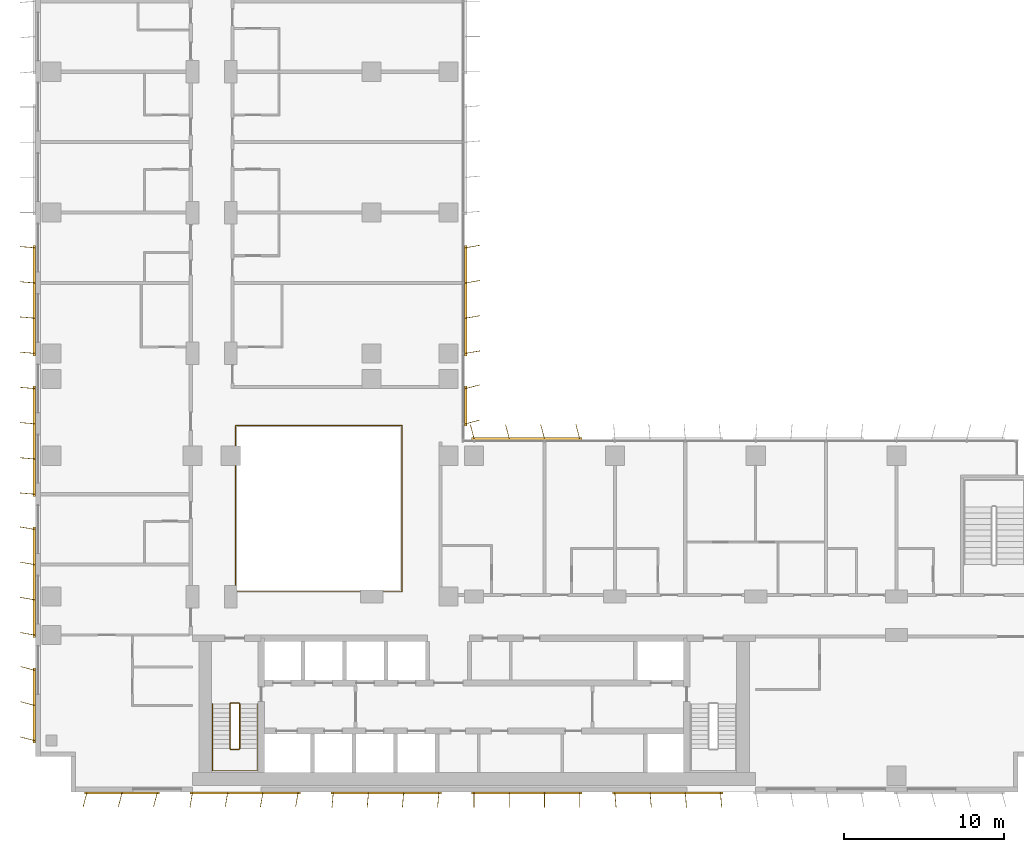
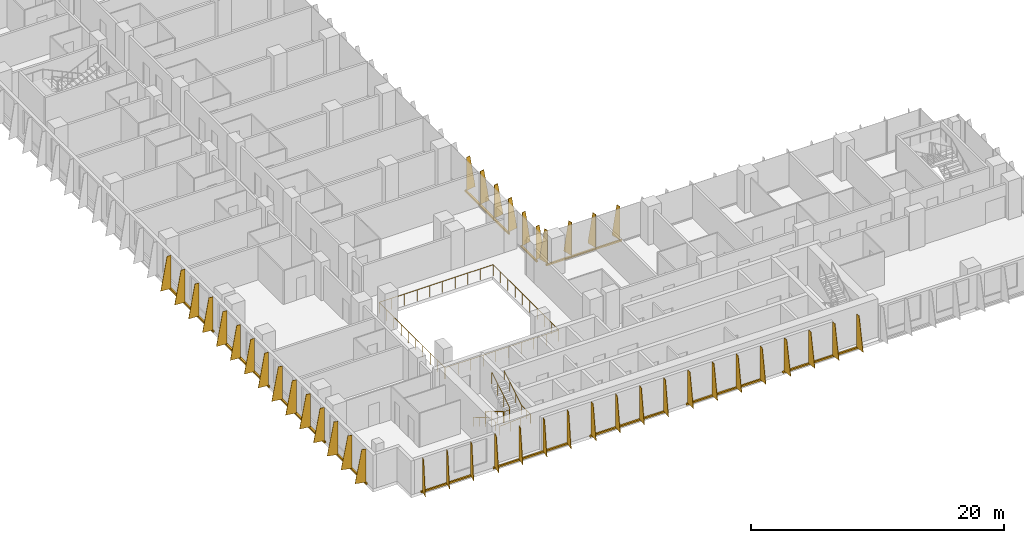
# One storey, part 19 of 22: 12 shading devices, 3 railings.
"""IFC4 building model written with IfcOpenShell, lengths in metres."""

from ifc_helpers import new_model, si_unit, direction, frame, origin, origin_2d, place, context, subcontext, project, spatial, polyline, rectangle, circle, outline, extrude, source, transform, mapped, material, layer, layer_set, type_object, element, save


model = new_model("IFC4")

# Units and contexts
model_context = context("Model", 3, precision=1e-05, world=origin(), true_north=direction((0.0, 1.0)))
body_context = subcontext(model_context, "Body", "Model", "MODEL_VIEW")
ifc_project = project(units=[si_unit("LENGTHUNIT", "METRE"), si_unit("AREAUNIT", "SQUARE_METRE"), si_unit("VOLUMEUNIT", "CUBIC_METRE"), si_unit("PLANEANGLEUNIT", "RADIAN"), si_unit("MASSUNIT", "GRAM", prefix="KILO")], contexts=[model_context])

# Site, building, storey
site_placement = place(None, origin())
site = spatial("IfcSite", under=ifc_project, at=site_placement, CompositionType="ELEMENT")
building_placement = place(site_placement, origin())
building = spatial("IfcBuilding", under=site, at=building_placement, Name="Kemantara Hotel Tower", CompositionType="ELEMENT")
storey_placement = place(building_placement, frame((0.0, 0.0, 129.60009765625)))
storey = spatial("IfcBuildingStorey", under=building, at=storey_placement, Name="L31", CompositionType="ELEMENT", Elevation=129.60009765625)

# Railings
ifc_material_1 = material(Name="Stainless steel and laminated glass balustrade", Category="steel")
railing_type_1 = type_object("IfcRailingType", Name="ATRIUM GUARD 1100", PredefinedType="GUARDRAIL", material=ifc_material_1)
railing_1_placement = place(storey_placement, frame((12.56005859375, 12.5, 0.0)))
element("IfcRailing", 1, at=railing_1_placement, inside=storey, type_object=railing_type_1, Name="ATRIUM GUARD L31", PredefinedType="GUARDRAIL", context=body_context, shape_type="SweptSolid", body=[
    extrude(circle(Radius=0.02490234375, at=origin_2d()), frame((0.0, 0.0, 1.0751953125), z_axis=(1.0, 0.0, 0.0), x_axis=(0.0, 1.0, 0.0)), (0.0, 0.0, 1.0), 10.33984375),
    extrude(circle(Radius=0.02490234375, at=origin_2d()), frame((10.33984375, 0.0, 1.0751953125), z_axis=(0.0, 1.0, 0.0), x_axis=(-1.0, 0.0, 0.0)), (0.0, 0.0, 1.0), 10.39990234375),
    extrude(circle(Radius=0.02490234375, at=origin_2d()), frame((10.33984375, 10.39990234375, 1.0751953125), z_axis=(-1.0, 0.0, 0.0), x_axis=(0.0, -1.0, 0.0)), (0.0, 0.0, 1.0), 10.39990234375),
    extrude(circle(Radius=0.02490234375, at=origin_2d()), frame((-0.06005859375, 10.39990234375, 1.0751953125), z_axis=(0.0, -1.0, 0.0), x_axis=(1.0, 0.0, 0.0)), (0.0, 0.0, 1.0), 10.39990234375),
    extrude(circle(Radius=0.02001953125, at=origin_2d()), origin(), (0.0, 0.0, 1.0), 1.050048828125),
    extrude(circle(Radius=0.02001953125, at=origin_2d()), frame((1.14892578125, 0.0, 0.0)), (0.0, 0.0, 1.0), 1.050048828125),
    extrude(circle(Radius=0.02001953125, at=origin_2d()), frame((2.2978515625, 0.0, 0.0)), (0.0, 0.0, 1.0), 1.050048828125),
    extrude(circle(Radius=0.02001953125, at=origin_2d()), frame((3.446533203125, 0.0, 0.0)), (0.0, 0.0, 1.0), 1.050048828125),
    extrude(circle(Radius=0.02001953125, at=origin_2d()), frame((4.595458984375, 0.0, 0.0)), (0.0, 0.0, 1.0), 1.050048828125),
    extrude(circle(Radius=0.02001953125, at=origin_2d()), frame((5.744384765625, 0.0, 0.0)), (0.0, 0.0, 1.0), 1.050048828125),
    extrude(circle(Radius=0.02001953125, at=origin_2d()), frame((6.893310546875, 0.0, 0.0)), (0.0, 0.0, 1.0), 1.050048828125),
    extrude(circle(Radius=0.02001953125, at=origin_2d()), frame((8.0419921875, 0.0, 0.0)), (0.0, 0.0, 1.0), 1.050048828125),
    extrude(circle(Radius=0.02001953125, at=origin_2d()), frame((9.19091796875, 0.0, 0.0)), (0.0, 0.0, 1.0), 1.050048828125),
    extrude(circle(Radius=0.02001953125, at=origin_2d()), frame((10.33984375, 0.0, 0.0)), (0.0, 0.0, 1.0), 1.050048828125),
    extrude(circle(Radius=0.02001953125, at=origin_2d()), frame((10.33984375, 1.155517578125, 0.0)), (0.0, 0.0, 1.0), 1.050048828125),
    extrude(circle(Radius=0.02001953125, at=origin_2d()), frame((10.33984375, 2.31103515625, 0.0)), (0.0, 0.0, 1.0), 1.050048828125),
    extrude(circle(Radius=0.02001953125, at=origin_2d()), frame((10.33984375, 3.466552734375, 0.0)), (0.0, 0.0, 1.0), 1.050048828125),
    extrude(circle(Radius=0.02001953125, at=origin_2d()), frame((10.33984375, 4.6220703125, 0.0)), (0.0, 0.0, 1.0), 1.050048828125),
    extrude(circle(Radius=0.02001953125, at=origin_2d()), frame((10.33984375, 5.77783203125, 0.0)), (0.0, 0.0, 1.0), 1.050048828125),
    extrude(circle(Radius=0.02001953125, at=origin_2d()), frame((10.33984375, 6.933349609375, 0.0)), (0.0, 0.0, 1.0), 1.050048828125),
    extrude(circle(Radius=0.02001953125, at=origin_2d()), frame((10.33984375, 8.0888671875, 0.0)), (0.0, 0.0, 1.0), 1.050048828125),
    extrude(circle(Radius=0.02001953125, at=origin_2d()), frame((10.33984375, 9.244384765625, 0.0)), (0.0, 0.0, 1.0), 1.050048828125),
    extrude(circle(Radius=0.02001953125, at=origin_2d()), frame((10.33984375, 10.39990234375, 0.0)), (0.0, 0.0, 1.0), 1.050048828125),
    extrude(circle(Radius=0.02001953125, at=origin_2d()), frame((9.184326171875, 10.39990234375, 0.0)), (0.0, 0.0, 1.0), 1.050048828125),
    extrude(circle(Radius=0.02001953125, at=origin_2d()), frame((8.02880859375, 10.39990234375, 0.0)), (0.0, 0.0, 1.0), 1.050048828125),
    extrude(circle(Radius=0.02001953125, at=origin_2d()), frame((6.873291015625, 10.39990234375, 0.0)), (0.0, 0.0, 1.0), 1.050048828125),
    extrude(circle(Radius=0.02001953125, at=origin_2d()), frame((5.7177734375, 10.39990234375, 0.0)), (0.0, 0.0, 1.0), 1.050048828125),
    extrude(circle(Radius=0.02001953125, at=origin_2d()), frame((4.56201171875, 10.39990234375, 0.0)), (0.0, 0.0, 1.0), 1.050048828125),
    extrude(circle(Radius=0.02001953125, at=origin_2d()), frame((3.406494140625, 10.39990234375, 0.0)), (0.0, 0.0, 1.0), 1.050048828125),
    extrude(circle(Radius=0.02001953125, at=origin_2d()), frame((2.2509765625, 10.39990234375, 0.0)), (0.0, 0.0, 1.0), 1.050048828125),
    extrude(circle(Radius=0.02001953125, at=origin_2d()), frame((1.095458984375, 10.39990234375, 0.0)), (0.0, 0.0, 1.0), 1.050048828125),
    extrude(circle(Radius=0.02001953125, at=origin_2d()), frame((-0.06005859375, 10.39990234375, 0.0)), (0.0, 0.0, 1.0), 1.050048828125),
    extrude(circle(Radius=0.02001953125, at=origin_2d()), frame((-0.06005859375, 9.244384765625, 0.0)), (0.0, 0.0, 1.0), 1.050048828125),
    extrude(circle(Radius=0.02001953125, at=origin_2d()), frame((-0.06005859375, 8.0888671875, 0.0)), (0.0, 0.0, 1.0), 1.050048828125),
    extrude(circle(Radius=0.02001953125, at=origin_2d()), frame((-0.06005859375, 6.933349609375, 0.0)), (0.0, 0.0, 1.0), 1.050048828125),
    extrude(circle(Radius=0.02001953125, at=origin_2d()), frame((-0.06005859375, 5.77783203125, 0.0)), (0.0, 0.0, 1.0), 1.050048828125),
    extrude(circle(Radius=0.02001953125, at=origin_2d()), frame((-0.06005859375, 4.6220703125, 0.0)), (0.0, 0.0, 1.0), 1.050048828125),
    extrude(circle(Radius=0.02001953125, at=origin_2d()), frame((-0.06005859375, 3.466552734375, 0.0)), (0.0, 0.0, 1.0), 1.050048828125),
    extrude(circle(Radius=0.02001953125, at=origin_2d()), frame((-0.06005859375, 2.31103515625, 0.0)), (0.0, 0.0, 1.0), 1.050048828125),
    extrude(circle(Radius=0.02001953125, at=origin_2d()), frame((-0.06005859375, 1.155517578125, 0.0)), (0.0, 0.0, 1.0), 1.050048828125),
    extrude(circle(Radius=0.02001953125, at=origin_2d()), frame((-0.06005859375, 0.0, 0.0)), (0.0, 0.0, 1.0), 1.050048828125),
])
ifc_material_2 = material(Name="Stainless steel balustrade", Category="steel")
railing_type_2 = type_object("IfcRailingType", Name="Stair guard 1100 mm", PredefinedType="GUARDRAIL", material=ifc_material_2)
railing_2_placement = place(storey_placement, frame((12.75, 5.5, 3.699951171875)))
element("IfcRailing", 2, at=railing_2_placement, inside=storey, type_object=railing_type_2, Name="L31 ST1 stair guard 1", PredefinedType="GUARDRAIL", context=body_context, shape_type="SweptSolid", body=[
    extrude(circle(Radius=0.02392578125, at=origin_2d()), frame((0.0, 0.0, 1.076171875), z_axis=(0.0, -0.857242210791, -0.514913383045), x_axis=(1.0, 0.0, 0.0)), (0.0, 0.0, 1.0), 3.266357421875),
    extrude(circle(Radius=0.02392578125, at=origin_2d()), frame((0.0, -2.800048828125, -0.60595703125), z_axis=(-0.274243871929, -0.274243871929, -0.92172696468), x_axis=(0.707106781187, -0.707106781187, 0.0)), (0.0, 0.0, 1.0), 0.1826171875),
    extrude(circle(Radius=0.02392578125, at=origin_2d()), frame((-0.050048828125, -2.85009765625, -0.77392578125), z_axis=(-1.0, 0.0, 0.0), x_axis=(0.0, -1.0, 0.0)), (0.0, 0.0, 1.0), 0.5),
    extrude(circle(Radius=0.02392578125, at=origin_2d()), frame((-0.550048828125, -2.85009765625, -0.77392578125), z_axis=(-0.707106781187, 0.707106781187, 0.0), x_axis=(-0.707106781187, -0.707106781187, 0.0)), (0.0, 0.0, 1.0), 0.07080078125),
    extrude(circle(Radius=0.02392578125, at=origin_2d()), frame((-0.60009765625, -2.800048828125, -0.77392578125), z_axis=(0.0, 0.857242210791, -0.514913383045), x_axis=(-1.0, 0.0, 0.0)), (0.0, 0.0, 1.0), 3.266357421875),
    extrude(circle(Radius=0.02392578125, at=origin_2d()), frame((-0.60009765625, 0.0, -2.4560546875), z_axis=(0.274582412415, 0.274582412415, -0.921525364591), x_axis=(-0.707106781187, 0.707106781187, 0.0)), (0.0, 0.0, 1.0), 0.182373046875),
    extrude(circle(Radius=0.02392578125, at=origin_2d()), frame((-0.550048828125, 0.050048828125, -2.6240234375), z_axis=(1.0, 0.0, 0.0), x_axis=(0.0, 1.0, 0.0)), (0.0, 0.0, 1.0), 0.5),
    extrude(circle(Radius=0.02099609375, at=origin_2d()), origin(), (0.0, 0.0, 1.0), 1.052001953125),
    extrude(circle(Radius=0.02099609375, at=origin_2d()), frame((0.0, -0.933349609375, -0.560546875)), (0.0, 0.0, 1.0), 1.052001953125),
    extrude(circle(Radius=0.02099609375, at=origin_2d()), frame((0.0, -1.86669921875, -1.121337890625)), (0.0, 0.0, 1.0), 1.052001953125),
    extrude(circle(Radius=0.02099609375, at=origin_2d()), frame((0.0, -2.800048828125, -1.681884765625)), (0.0, 0.0, 1.0), 1.052001953125),
    extrude(circle(Radius=0.02099609375, at=origin_2d()), frame((-0.050048828125, -2.85009765625, -1.85009765625)), (0.0, 0.0, 1.0), 1.052001953125),
    extrude(circle(Radius=0.02099609375, at=origin_2d()), frame((-0.550048828125, -2.85009765625, -1.85009765625)), (0.0, 0.0, 1.0), 1.052001953125),
    extrude(circle(Radius=0.02099609375, at=origin_2d()), frame((-0.60009765625, -2.800048828125, -1.85009765625)), (0.0, 0.0, 1.0), 1.052001953125),
    extrude(circle(Radius=0.02099609375, at=origin_2d()), frame((-0.60009765625, -1.86669921875, -2.41064453125)), (0.0, 0.0, 1.0), 1.052001953125),
    extrude(circle(Radius=0.02099609375, at=origin_2d()), frame((-0.60009765625, -0.933349609375, -2.971435546875)), (0.0, 0.0, 1.0), 1.052001953125),
    extrude(circle(Radius=0.02099609375, at=origin_2d()), frame((-0.60009765625, 0.0, -3.531982421875)), (0.0, 0.0, 1.0), 1.052001953125),
    extrude(circle(Radius=0.02099609375, at=origin_2d()), frame((-0.550048828125, 0.050048828125, -3.699951171875)), (0.0, 0.0, 1.0), 1.052001953125),
    extrude(circle(Radius=0.02099609375, at=origin_2d()), frame((-0.050048828125, 0.050048828125, -3.699951171875)), (0.0, 0.0, 1.0), 1.052001953125),
])
railing_type_3 = type_object("IfcRailingType", Name="Stair handrail 900 mm", PredefinedType="HANDRAIL", material=ifc_material_2)
railing_3_placement = place(storey_placement, frame((11.050048828125, 5.5, 0.16796875)))
element("IfcRailing", 3, at=railing_3_placement, inside=storey, type_object=railing_type_3, Name="L31 ST1 stair handrail 1", PredefinedType="HANDRAIL", context=body_context, shape_type="SweptSolid", body=[
    extrude(circle(Radius=0.02392578125, at=origin_2d()), frame((0.0, 0.0, 0.8759765625), z_axis=(0.0, -0.857242210791, 0.514913383045), x_axis=(1.0, 0.0, 0.0)), (0.0, 0.0, 1.0), 3.266357421875),
    extrude(circle(Radius=0.02392578125, at=origin_2d()), frame((0.0, -2.800048828125, 2.5576171875), z_axis=(0.0, -1.0, 0.0), x_axis=(1.0, 0.0, 0.0)), (0.0, 0.0, 1.0), 1.3798828125),
    extrude(circle(Radius=0.02392578125, at=origin_2d()), frame((0.0, -4.179931640625, 2.5576171875), z_axis=(0.998200367801, 0.0, 0.059966871865), x_axis=(0.0, 1.0, 0.0)), (0.0, 0.0, 1.0), 2.80517578125),
    extrude(circle(Radius=0.02392578125, at=origin_2d()), frame((2.800048828125, -4.179931640625, 2.72607421875), z_axis=(0.0, 1.0, 0.0), x_axis=(-1.0, 0.0, 0.0)), (0.0, 0.0, 1.0), 1.3798828125),
    extrude(circle(Radius=0.02392578125, at=origin_2d()), frame((2.800048828125, -2.800048828125, 2.72607421875), z_axis=(0.0, 0.857242210791, 0.514913383045), x_axis=(-1.0, 0.0, 0.0)), (0.0, 0.0, 1.0), 3.266357421875),
    extrude(circle(Radius=0.02099609375, at=origin_2d()), origin(), (0.0, 0.0, 1.0), 0.851806640625),
    extrude(circle(Radius=0.02099609375, at=origin_2d()), frame((0.0, -0.933349609375, 0.560546875)), (0.0, 0.0, 1.0), 0.851806640625),
    extrude(circle(Radius=0.02099609375, at=origin_2d()), frame((0.0, -1.86669921875, 1.121337890625)), (0.0, 0.0, 1.0), 0.851806640625),
    extrude(circle(Radius=0.02099609375, at=origin_2d()), frame((0.0, -2.800048828125, 1.681884765625)), (0.0, 0.0, 1.0), 0.851806640625),
    extrude(circle(Radius=0.02099609375, at=origin_2d()), frame((0.0, -3.489990234375, 1.681884765625)), (0.0, 0.0, 1.0), 0.851806640625),
    extrude(circle(Radius=0.02099609375, at=origin_2d()), frame((0.0, -4.179931640625, 1.681884765625)), (0.0, 0.0, 1.0), 0.851806640625),
    extrude(circle(Radius=0.02099609375, at=origin_2d()), frame((0.933349609375, -4.179931640625, 1.738037109375)), (0.0, 0.0, 1.0), 0.851806640625),
    extrude(circle(Radius=0.02099609375, at=origin_2d()), frame((1.86669921875, -4.179931640625, 1.7939453125)), (0.0, 0.0, 1.0), 0.851806640625),
    extrude(circle(Radius=0.02099609375, at=origin_2d()), frame((2.800048828125, -4.179931640625, 1.85009765625)), (0.0, 0.0, 1.0), 0.851806640625),
    extrude(circle(Radius=0.02099609375, at=origin_2d()), frame((2.800048828125, -3.489990234375, 1.85009765625)), (0.0, 0.0, 1.0), 0.851806640625),
    extrude(circle(Radius=0.02099609375, at=origin_2d()), frame((2.800048828125, -2.800048828125, 1.85009765625)), (0.0, 0.0, 1.0), 0.851806640625),
    extrude(circle(Radius=0.02099609375, at=origin_2d()), frame((2.800048828125, -1.86669921875, 2.41064453125)), (0.0, 0.0, 1.0), 0.851806640625),
    extrude(circle(Radius=0.02099609375, at=origin_2d()), frame((2.800048828125, -0.933349609375, 2.971435546875)), (0.0, 0.0, 1.0), 0.851806640625),
    extrude(circle(Radius=0.02099609375, at=origin_2d()), frame((2.800048828125, 0.0, 3.531982421875)), (0.0, 0.0, 1.0), 0.851806640625),
])

# Shading devices
ifc_material_3 = material(Name="Perforated aluminium plate 4 mm bronze anodised", Category="aluminium")
ifc_layer_1 = layer(ifc_material_3, 0.0400390625)
ifc_layer_set_1 = layer_set([ifc_layer_1], Name="Perforated aluminium plate 4 mm bronze anodised")
shading_device_type_1 = type_object("IfcShadingDeviceType", Name="SCREEN FIN CASSETTE, 3 BLADES AT -15.0 DEG, 3200 HIGH", PredefinedType="USERDEFINED", material=ifc_layer_set_1)
shared_shape_1 = source(origin(), body_context, "Body", "SweptSolid", [
    extrude(rectangle(XDim=4.699951171875, YDim=0.14990234375, at=origin_2d()), frame((2.199951171875, -0.074951171875, -0.14990234375), z_axis=(0.0, 0.0, 1.0), x_axis=(1.0, 0.0, 0.0)), (0.0, 0.0, 1.0), 0.14990234375),
    extrude(outline(polyline([(0.0, 0.0), (0.89990234375, 0.0), (0.35009765625, 3.199951171875), (0.0, 3.199951171875), (0.0, 0.0)])), frame((0.019287109375, -0.080078125, 0.0), z_axis=(-0.966437683387, 0.256901156343, 0.0), x_axis=(-0.256901156343, -0.966437683387, 0.0)), (0.0, 0.0, 1.0), 0.039794921875),
    extrude(outline(polyline([(0.0, 0.0), (0.89990234375, 0.0), (0.35009765625, 3.199951171875), (0.0, 3.199951171875), (0.0, 0.0)])), frame((2.21923828125, -0.080078125, 0.0), z_axis=(-0.966437683387, 0.256901156343, 0.0), x_axis=(-0.256901156343, -0.966437683387, 0.0)), (0.0, 0.0, 1.0), 0.039794921875),
    extrude(outline(polyline([(0.0, 0.0), (0.89990234375, 0.0), (0.35009765625, 3.199951171875), (0.0, 3.199951171875), (0.0, 0.0)])), frame((4.41943359375, -0.080078125, 0.0), z_axis=(-0.966837822169, 0.255391122837, 0.0), x_axis=(-0.255391122837, -0.966837822169, 0.0)), (0.0, 0.0, 1.0), 0.0400390625),
])
for number, where, z_axis, x_axis, name in (
    (4, (0.0, 7.60009765625, 0.099853515625), (0.0, 0.0, 1.0), (0.0, -1.0, 0.0), "SCREEN FIN CASSETTE L31 T2-R04-9"),
    (5, (3.199951171875, 0.0, 0.099853515625), (0.0, 0.0, 1.0), (1.0, 0.0, 0.0), "SCREEN FIN CASSETTE L31 T2-R07-1"),
):
    element("IfcShadingDevice", number, at=place(storey_placement, frame(where, z_axis=z_axis, x_axis=x_axis)), inside=storey, type_object=shading_device_type_1, Name=name, ObjectType="SCREEN FIN", PredefinedType="USERDEFINED", context=body_context, shape_type="MappedRepresentation", body=[
        mapped(shared_shape_1, transform((0.0, 0.0, 0.0))),
    ])
ifc_layer_2 = layer(ifc_material_3, 0.0400390625)
ifc_layer_set_2 = layer_set([ifc_layer_2], Name="Perforated aluminium plate 4 mm bronze anodised")
shading_device_type_2 = type_object("IfcShadingDeviceType", Name="SCREEN FIN CASSETTE, 4 BLADES AT -10.0 DEG, 3200 HIGH", PredefinedType="USERDEFINED", material=ifc_layer_set_2)
shared_shape_2 = source(origin(), body_context, "Body", "SweptSolid", [
    extrude(rectangle(XDim=6.89990234375, YDim=0.14990234375, at=origin_2d()), frame((3.300048828125, -0.074951171875, -0.14990234375), z_axis=(0.0, 0.0, 1.0), x_axis=(1.0, 0.0, 0.0)), (0.0, 0.0, 1.0), 0.14990234375),
    extrude(outline(polyline([(0.0, 0.0), (0.89990234375, 0.0), (0.35009765625, 3.199951171875), (0.0, 3.199951171875), (0.0, 0.0)])), frame((0.019775390625, -0.078369140625, 0.0), z_axis=(-0.985389793052, 0.170314285219, 0.0), x_axis=(-0.170314285219, -0.985389793052, 0.0)), (0.0, 0.0, 1.0), 0.0400390625),
    extrude(outline(polyline([(0.0, 0.0), (0.89990234375, 0.0), (0.35009765625, 3.199951171875), (0.0, 3.199951171875), (0.0, 0.0)])), frame((2.2197265625, -0.078369140625, 0.0), z_axis=(-0.98521175482, 0.171341174751, 0.0), x_axis=(-0.171341174751, -0.98521175482, 0.0)), (0.0, 0.0, 1.0), 0.039794921875),
    extrude(outline(polyline([(0.0, 0.0), (0.89990234375, 0.0), (0.35009765625, 3.199951171875), (0.0, 3.199951171875), (0.0, 0.0)])), frame((4.419677734375, -0.078369140625, 0.0), z_axis=(-0.98521175482, 0.171341174751, 0.0), x_axis=(-0.171341174751, -0.98521175482, 0.0)), (0.0, 0.0, 1.0), 0.039794921875),
    extrude(outline(polyline([(0.0, 0.0), (0.89990234375, 0.0), (0.35009765625, 3.199951171875), (0.0, 3.199951171875), (0.0, 0.0)])), frame((6.61962890625, -0.078369140625, 0.0), z_axis=(-0.98521175482, 0.171341174751, 0.0), x_axis=(-0.171341174751, -0.98521175482, 0.0)), (0.0, 0.0, 1.0), 0.039794921875),
])
for number, where, z_axis, x_axis, name in (
    (6, (0.0, 16.39990234375, 0.099853515625), (0.0, 0.0, 1.0), (0.0, -1.0, 0.0), "SCREEN FIN CASSETTE L31 T2-R04-8"),
    (7, (9.800048828125, 0.0, 0.099853515625), (0.0, 0.0, 1.0), (1.0, 0.0, 0.0), "SCREEN FIN CASSETTE L31 T2-R07-2"),
):
    element("IfcShadingDevice", number, at=place(storey_placement, frame(where, z_axis=z_axis, x_axis=x_axis)), inside=storey, type_object=shading_device_type_2, Name=name, ObjectType="SCREEN FIN", PredefinedType="USERDEFINED", context=body_context, shape_type="MappedRepresentation", body=[
        mapped(shared_shape_2, transform((0.0, 0.0, 0.0))),
    ])
ifc_layer_3 = layer(ifc_material_3, 0.0400390625)
ifc_layer_set_3 = layer_set([ifc_layer_3], Name="Perforated aluminium plate 4 mm bronze anodised")
shading_device_type_3 = type_object("IfcShadingDeviceType", Name="SCREEN FIN CASSETTE, 4 BLADES AT -5.0 DEG, 3200 HIGH", PredefinedType="USERDEFINED", material=ifc_layer_set_3)
shared_shape_3 = source(origin(), body_context, "Body", "SweptSolid", [
    extrude(rectangle(XDim=6.89990234375, YDim=0.14990234375, at=origin_2d()), frame((3.300048828125, -0.074951171875, -0.14990234375), z_axis=(0.0, 0.0, 1.0), x_axis=(1.0, 0.0, 0.0)), (0.0, 0.0, 1.0), 0.14990234375),
    extrude(outline(polyline([(0.0, 0.0), (0.89990234375, 0.0), (0.35009765625, 3.199951171875), (0.0, 3.199951171875), (0.0, 0.0)])), frame((0.02001953125, -0.07666015625, 0.0), z_axis=(-0.996376129781, 0.085056498884, 0.0), x_axis=(-0.085056498884, -0.996376129781, 0.0)), (0.0, 0.0, 1.0), 0.040283203125),
    extrude(outline(polyline([(0.0, 0.0), (0.89990234375, 0.0), (0.35009765625, 3.199951171875), (0.0, 3.199951171875), (0.0, 0.0)])), frame((2.219970703125, -0.07666015625, 0.0), z_axis=(-0.996331773833, 0.085574508182, 0.0), x_axis=(-0.085574508182, -0.996331773833, 0.0)), (0.0, 0.0, 1.0), 0.0400390625),
    extrude(outline(polyline([(0.0, 0.0), (0.89990234375, 0.0), (0.35009765625, 3.199951171875), (0.0, 3.199951171875), (0.0, 0.0)])), frame((4.419921875, -0.07666015625, 0.0), z_axis=(-0.996331773833, 0.085574508182, 0.0), x_axis=(-0.085574508182, -0.996331773833, 0.0)), (0.0, 0.0, 1.0), 0.0400390625),
    extrude(outline(polyline([(0.0, 0.0), (0.89990234375, 0.0), (0.35009765625, 3.199951171875), (0.0, 3.199951171875), (0.0, 0.0)])), frame((6.619873046875, -0.07666015625, 0.0), z_axis=(-0.996331773833, 0.085574508182, 0.0), x_axis=(-0.085574508182, -0.996331773833, 0.0)), (0.0, 0.0, 1.0), 0.0400390625),
])
for number, where, z_axis, x_axis, name in (
    (8, (0.0, 34.0, 0.099853515625), (0.0, 0.0, 1.0), (0.0, -1.0, 0.0), "SCREEN FIN CASSETTE L31 T2-R04-6"),
    (9, (0.0, 25.199951171875, 0.099853515625), (0.0, 0.0, 1.0), (0.0, -1.0, 0.0), "SCREEN FIN CASSETTE L31 T2-R04-7"),
    (10, (18.60009765625, 0.0, 0.099853515625), (0.0, 0.0, 1.0), (1.0, 0.0, 0.0), "SCREEN FIN CASSETTE L31 T2-R07-3"),
):
    element("IfcShadingDevice", number, at=place(storey_placement, frame(where, z_axis=z_axis, x_axis=x_axis)), inside=storey, type_object=shading_device_type_3, Name=name, ObjectType="SCREEN FIN", PredefinedType="USERDEFINED", context=body_context, shape_type="MappedRepresentation", body=[
        mapped(shared_shape_3, transform((0.0, 0.0, 0.0))),
    ])
ifc_layer_4 = layer(ifc_material_3, 0.0400390625)
ifc_layer_set_4 = layer_set([ifc_layer_4], Name="Perforated aluminium plate 4 mm bronze anodised")
shading_device_type_4 = type_object("IfcShadingDeviceType", Name="SCREEN FIN CASSETTE, 4 BLADES AT +0.0 DEG, 3200 HIGH", PredefinedType="USERDEFINED", material=ifc_layer_set_4)
shared_shape_4 = source(origin(), body_context, "Body", "SweptSolid", [
    extrude(rectangle(XDim=6.89990234375, YDim=0.14990234375, at=origin_2d()), frame((3.300048828125, -0.074951171875, -0.14990234375), z_axis=(0.0, 0.0, 1.0), x_axis=(1.0, 0.0, 0.0)), (0.0, 0.0, 1.0), 0.14990234375),
    extrude(outline(polyline([(0.0, 0.0), (0.89990234375, 0.0), (0.35009765625, 3.199951171875), (0.0, 3.199951171875), (0.0, 0.0)])), frame((0.02001953125, -0.074951171875, 0.0), z_axis=(-1.0, 0.0, 0.0), x_axis=(0.0, -1.0, 0.0)), (0.0, 0.0, 1.0), 0.0400390625),
    extrude(outline(polyline([(0.0, 0.0), (0.89990234375, 0.0), (0.35009765625, 3.199951171875), (0.0, 3.199951171875), (0.0, 0.0)])), frame((2.219970703125, -0.074951171875, 0.0), z_axis=(-1.0, 0.0, 0.0), x_axis=(0.0, -1.0, 0.0)), (0.0, 0.0, 1.0), 0.0400390625),
    extrude(outline(polyline([(0.0, 0.0), (0.89990234375, 0.0), (0.35009765625, 3.199951171875), (0.0, 3.199951171875), (0.0, 0.0)])), frame((4.419921875, -0.074951171875, 0.0), z_axis=(-1.0, 0.0, 0.0), x_axis=(0.0, -1.0, 0.0)), (0.0, 0.0, 1.0), 0.0400390625),
    extrude(outline(polyline([(0.0, 0.0), (0.89990234375, 0.0), (0.35009765625, 3.199951171875), (0.0, 3.199951171875), (0.0, 0.0)])), frame((6.6201171875, -0.074951171875, 0.0), z_axis=(-1.0, 0.0, 0.0), x_axis=(0.0, -1.0, 0.0)), (0.0, 0.0, 1.0), 0.0400390625),
])
shading_device_1_placement = place(storey_placement, frame((27.39990234375, 0.0, 0.099853515625), z_axis=(0.0, 0.0, 1.0), x_axis=(1.0, 0.0, 0.0)))
element("IfcShadingDevice", 11, at=shading_device_1_placement, inside=storey, type_object=shading_device_type_4, Name="SCREEN FIN CASSETTE L31 T2-R07-4", ObjectType="SCREEN FIN", PredefinedType="USERDEFINED", context=body_context, shape_type="MappedRepresentation", body=[
    mapped(shared_shape_4, transform((0.0, 0.0, 0.0))),
])
ifc_layer_5 = layer(ifc_material_3, 0.0400390625)
ifc_layer_set_5 = layer_set([ifc_layer_5], Name="Perforated aluminium plate 4 mm bronze anodised")
shading_device_type_5 = type_object("IfcShadingDeviceType", Name="SCREEN FIN CASSETTE, 4 BLADES AT +5.0 DEG, 3200 HIGH", PredefinedType="USERDEFINED", material=ifc_layer_set_5)
shared_shape_5 = source(origin(), body_context, "Body", "SweptSolid", [
    extrude(rectangle(XDim=6.89990234375, YDim=0.14990234375, at=origin_2d()), frame((3.300048828125, -0.074951171875, -0.14990234375), z_axis=(0.0, 0.0, 1.0), x_axis=(1.0, 0.0, 0.0)), (0.0, 0.0, 1.0), 0.14990234375),
    extrude(outline(polyline([(0.0, 0.0), (0.89990234375, 0.0), (0.35009765625, 3.199951171875), (0.0, 3.199951171875), (0.0, 0.0)])), frame((0.02001953125, -0.0732421875, 0.0), z_axis=(-0.996376129781, -0.085056498884, 0.0), x_axis=(0.085056498884, -0.996376129781, 0.0)), (0.0, 0.0, 1.0), 0.040283203125),
    extrude(outline(polyline([(0.0, 0.0), (0.89990234375, 0.0), (0.35009765625, 3.199951171875), (0.0, 3.199951171875), (0.0, 0.0)])), frame((2.219970703125, -0.0732421875, 0.0), z_axis=(-0.996331773833, -0.085574508182, 0.0), x_axis=(0.085574508182, -0.996331773833, 0.0)), (0.0, 0.0, 1.0), 0.0400390625),
    extrude(outline(polyline([(0.0, 0.0), (0.89990234375, 0.0), (0.35009765625, 3.199951171875), (0.0, 3.199951171875), (0.0, 0.0)])), frame((4.419921875, -0.0732421875, 0.0), z_axis=(-0.996331773833, -0.085574508182, 0.0), x_axis=(0.085574508182, -0.996331773833, 0.0)), (0.0, 0.0, 1.0), 0.0400390625),
    extrude(outline(polyline([(0.0, 0.0), (0.89990234375, 0.0), (0.35009765625, 3.199951171875), (0.0, 3.199951171875), (0.0, 0.0)])), frame((6.619873046875, -0.0732421875, 0.0), z_axis=(-0.996331773833, -0.085574508182, 0.0), x_axis=(0.085574508182, -0.996331773833, 0.0)), (0.0, 0.0, 1.0), 0.0400390625),
])
shading_device_2_placement = place(storey_placement, frame((36.199951171875, 0.0, 0.099853515625), z_axis=(0.0, 0.0, 1.0), x_axis=(1.0, 0.0, 0.0)))
element("IfcShadingDevice", 12, at=shading_device_2_placement, inside=storey, type_object=shading_device_type_5, Name="SCREEN FIN CASSETTE L31 T2-R07-5", ObjectType="SCREEN FIN", PredefinedType="USERDEFINED", context=body_context, shape_type="MappedRepresentation", body=[
    mapped(shared_shape_5, transform((0.0, 0.0, 0.0))),
])
ifc_layer_6 = layer(ifc_material_3, 0.0400390625)
ifc_layer_set_6 = layer_set([ifc_layer_6], Name="Perforated aluminium plate 4 mm bronze anodised")
shading_device_type_6 = type_object("IfcShadingDeviceType", Name="SCREEN FIN CASSETTE, 4 BLADES AT +10.0 DEG, 3200 HIGH", PredefinedType="USERDEFINED", material=ifc_layer_set_6)
shared_shape_6 = source(origin(), body_context, "Body", "SweptSolid", [
    extrude(rectangle(XDim=6.89990234375, YDim=0.14990234375, at=origin_2d()), frame((3.300048828125, -0.074951171875, -0.14990234375), z_axis=(0.0, 0.0, 1.0), x_axis=(1.0, 0.0, 0.0)), (0.0, 0.0, 1.0), 0.14990234375),
    extrude(outline(polyline([(0.0, 0.0), (0.89990234375, 0.0), (0.35009765625, 3.199951171875), (0.0, 3.199951171875), (0.0, 0.0)])), frame((0.019775390625, -0.071533203125, 0.0), z_axis=(-0.985389793052, -0.170314285219, 0.0), x_axis=(0.170314285219, -0.985389793052, 0.0)), (0.0, 0.0, 1.0), 0.0400390625),
    extrude(outline(polyline([(0.0, 0.0), (0.89990234375, 0.0), (0.35009765625, 3.199951171875), (0.0, 3.199951171875), (0.0, 0.0)])), frame((2.2197265625, -0.071533203125, 0.0), z_axis=(-0.98521175482, -0.171341174751, 0.0), x_axis=(0.171341174751, -0.98521175482, 0.0)), (0.0, 0.0, 1.0), 0.039794921875),
    extrude(outline(polyline([(0.0, 0.0), (0.89990234375, 0.0), (0.35009765625, 3.199951171875), (0.0, 3.199951171875), (0.0, 0.0)])), frame((4.419677734375, -0.071533203125, 0.0), z_axis=(-0.98521175482, -0.171341174751, 0.0), x_axis=(0.171341174751, -0.98521175482, 0.0)), (0.0, 0.0, 1.0), 0.039794921875),
    extrude(outline(polyline([(0.0, 0.0), (0.89990234375, 0.0), (0.35009765625, 3.199951171875), (0.0, 3.199951171875), (0.0, 0.0)])), frame((6.61962890625, -0.071533203125, 0.0), z_axis=(-0.98521175482, -0.171341174751, 0.0), x_axis=(0.171341174751, -0.98521175482, 0.0)), (0.0, 0.0, 1.0), 0.039794921875),
])
shading_device_3_placement = place(storey_placement, frame((26.800048828125, 27.39990234375, 0.099853515625), z_axis=(0.0, 0.0, 1.0), x_axis=(0.0, 1.0, 0.0)))
element("IfcShadingDevice", 13, at=shading_device_3_placement, inside=storey, type_object=shading_device_type_6, Name="SCREEN FIN CASSETTE L31 T2-R14-2", ObjectType="SCREEN FIN", PredefinedType="USERDEFINED", context=body_context, shape_type="MappedRepresentation", body=[
    mapped(shared_shape_6, transform((0.0, 0.0, 0.0))),
])
ifc_layer_7 = layer(ifc_material_3, 0.0400390625)
ifc_layer_set_7 = layer_set([ifc_layer_7], Name="Perforated aluminium plate 4 mm bronze anodised")
shading_device_type_7 = type_object("IfcShadingDeviceType", Name="SCREEN FIN CASSETTE, 4 BLADES AT +15.0 DEG, 3200 HIGH", PredefinedType="USERDEFINED", material=ifc_layer_set_7)
shared_shape_7 = source(origin(), body_context, "Body", "SweptSolid", [
    extrude(rectangle(XDim=6.89990234375, YDim=0.14990234375, at=origin_2d()), frame((3.300048828125, -0.074951171875, -0.14990234375), z_axis=(0.0, 0.0, 1.0), x_axis=(1.0, 0.0, 0.0)), (0.0, 0.0, 1.0), 0.14990234375),
    extrude(outline(polyline([(0.0, 0.0), (0.89990234375, 0.0), (0.35009765625, 3.199951171875), (0.0, 3.199951171875), (0.0, 0.0)])), frame((0.019287109375, -0.06982421875, 0.0), z_axis=(-0.966437683387, -0.256901156343, 0.0), x_axis=(0.256901156343, -0.966437683387, 0.0)), (0.0, 0.0, 1.0), 0.039794921875),
    extrude(outline(polyline([(0.0, 0.0), (0.89990234375, 0.0), (0.35009765625, 3.199951171875), (0.0, 3.199951171875), (0.0, 0.0)])), frame((2.21923828125, -0.06982421875, 0.0), z_axis=(-0.966437683387, -0.256901156343, 0.0), x_axis=(0.256901156343, -0.966437683387, 0.0)), (0.0, 0.0, 1.0), 0.039794921875),
    extrude(outline(polyline([(0.0, 0.0), (0.89990234375, 0.0), (0.35009765625, 3.199951171875), (0.0, 3.199951171875), (0.0, 0.0)])), frame((4.41943359375, -0.06982421875, 0.0), z_axis=(-0.966837822169, -0.255391122837, 0.0), x_axis=(0.255391122837, -0.966837822169, 0.0)), (0.0, 0.0, 1.0), 0.0400390625),
    extrude(outline(polyline([(0.0, 0.0), (0.89990234375, 0.0), (0.35009765625, 3.199951171875), (0.0, 3.199951171875), (0.0, 0.0)])), frame((6.619384765625, -0.06982421875, 0.0), z_axis=(-0.966837822169, -0.255391122837, 0.0), x_axis=(0.255391122837, -0.966837822169, 0.0)), (0.0, 0.0, 1.0), 0.0400390625),
])
shading_device_4_placement = place(storey_placement, frame((34.0, 22.0, 0.099853515625), z_axis=(0.0, 0.0, 1.0), x_axis=(-1.0, 0.0, 0.0)))
element("IfcShadingDevice", 14, at=shading_device_4_placement, inside=storey, type_object=shading_device_type_7, Name="SCREEN FIN CASSETTE L31 T2-R13-4", ObjectType="SCREEN FIN", PredefinedType="USERDEFINED", context=body_context, shape_type="MappedRepresentation", body=[
    mapped(shared_shape_7, transform((0.0, 0.0, 0.0))),
])
ifc_layer_8 = layer(ifc_material_3, 0.0400390625)
ifc_layer_set_8 = layer_set([ifc_layer_8], Name="Perforated aluminium plate 4 mm bronze anodised")
shading_device_type_8 = type_object("IfcShadingDeviceType", Name="SCREEN FIN CASSETTE, 2 BLADES AT +15.0 DEG, 3200 HIGH", PredefinedType="USERDEFINED", material=ifc_layer_set_8)
shared_shape_8 = source(origin(), body_context, "Body", "SweptSolid", [
    extrude(rectangle(XDim=2.5, YDim=0.14990234375, at=origin_2d()), frame((1.10009765625, -0.074951171875, -0.14990234375), z_axis=(0.0, 0.0, 1.0), x_axis=(1.0, 0.0, 0.0)), (0.0, 0.0, 1.0), 0.14990234375),
    extrude(outline(polyline([(0.0, 0.0), (0.89990234375, 0.0), (0.35009765625, 3.199951171875), (0.0, 3.199951171875), (0.0, 0.0)])), frame((0.019287109375, -0.06982421875, 0.0), z_axis=(-0.966437683387, -0.256901156343, 0.0), x_axis=(0.256901156343, -0.966437683387, 0.0)), (0.0, 0.0, 1.0), 0.039794921875),
    extrude(outline(polyline([(0.0, 0.0), (0.89990234375, 0.0), (0.35009765625, 3.199951171875), (0.0, 3.199951171875), (0.0, 0.0)])), frame((2.21923828125, -0.06982421875, 0.0), z_axis=(-0.966437683387, -0.256901156343, 0.0), x_axis=(0.256901156343, -0.966437683387, 0.0)), (0.0, 0.0, 1.0), 0.039794921875),
])
shading_device_5_placement = place(storey_placement, frame((26.800048828125, 23.0, 0.099853515625), z_axis=(0.0, 0.0, 1.0), x_axis=(0.0, 1.0, 0.0)))
element("IfcShadingDevice", 15, at=shading_device_5_placement, inside=storey, type_object=shading_device_type_8, Name="SCREEN FIN CASSETTE L31 T2-R14-1", ObjectType="SCREEN FIN", PredefinedType="USERDEFINED", context=body_context, shape_type="MappedRepresentation", body=[
    mapped(shared_shape_8, transform((0.0, 0.0, 0.0))),
])

save(model, "model.ifc")
